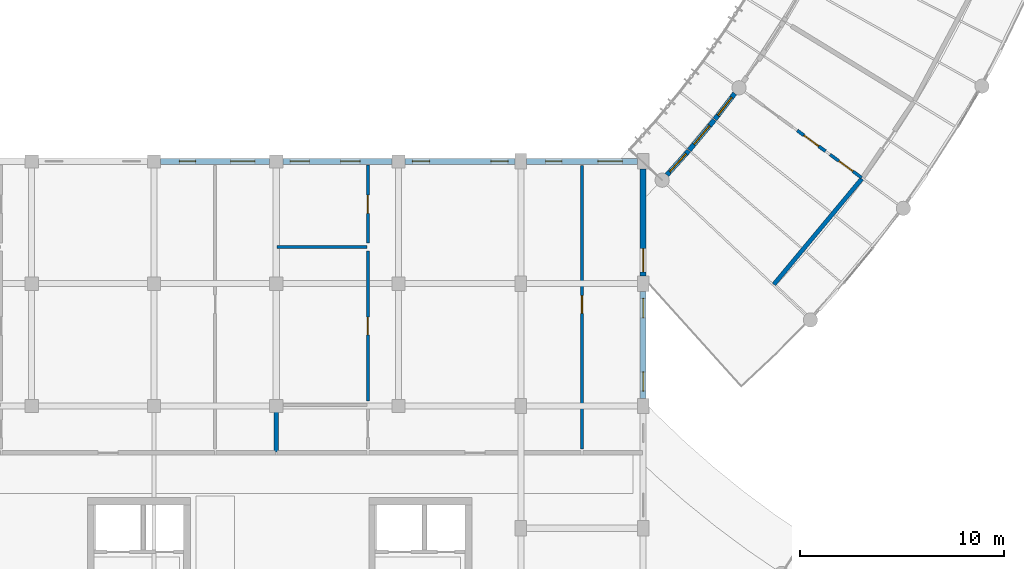
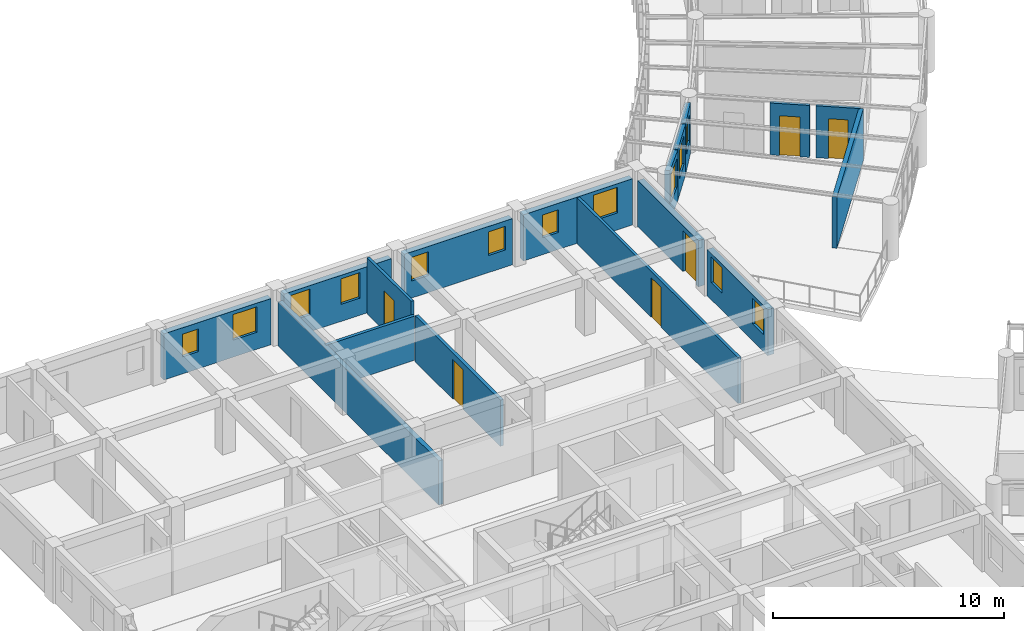
# One storey, part 79 of 123: 17 walls, 13 windows, 6 doors, 19 openings.
"""IFC4 building model written with IfcOpenShell, lengths in metres."""

from ifc_helpers import new_model, si_unit, direction, frame, frame_2d, origin, place, context, subcontext, project, spatial, rectangle, extrude, material, layer, layer_set, type_object, element, fill, save


model = new_model("IFC4")

# Units and contexts
model_context = context("Model", 3, precision=1e-05, world=origin(), true_north=direction((0.0, 1.0)))
body_context = subcontext(model_context, "Body", "Model", "MODEL_VIEW")
ifc_project = project(units=[si_unit("LENGTHUNIT", "METRE"), si_unit("AREAUNIT", "SQUARE_METRE"), si_unit("VOLUMEUNIT", "CUBIC_METRE"), si_unit("PLANEANGLEUNIT", "RADIAN"), si_unit("MASSUNIT", "GRAM", prefix="KILO"), si_unit("POWERUNIT", "WATT"), si_unit("THERMODYNAMICTEMPERATUREUNIT", "KELVIN")], contexts=[model_context])

# Site, building, storey
site_placement = place(None, origin())
site = spatial("IfcSite", under=ifc_project, at=site_placement, CompositionType="ELEMENT")
building_placement = place(site_placement, origin())
building = spatial("IfcBuilding", under=site, at=building_placement, Name="Ruvembo Vaulted Housing Court", CompositionType="ELEMENT")
storey_placement = place(building_placement, frame((0.0, 0.0, 7.699951171875)))
storey = spatial("IfcBuildingStorey", under=building, at=storey_placement, Name="L02", CompositionType="ELEMENT", Elevation=7.699951171875)

# Walls
ifc_material_1 = material(Name="Concrete Blockwork 210", Category="masonry")
ifc_layer_1 = layer(ifc_material_1, 0.2099609375, Name="Concrete Blockwork 210")
ifc_layer_set_1 = layer_set([ifc_layer_1], Name="Concrete Blockwork 210")
wall_type_1 = type_object("IfcWallType", Name="WL-CORR-210", PredefinedType="SOLIDWALL", material=ifc_layer_set_1)
wall_1_placement = place(storey_placement, frame((42.4140625, 35.964599609375, 0.0), z_axis=(0.0, 0.0, 1.0), x_axis=(0.639849364326, 0.768500351966, 0.0)))
element("IfcWall", 1, at=wall_1_placement, inside=storey, type_object=wall_type_1, Name="L02 Suite SC1-L02-U1 Gallery Wall WL-INT-L02-00682", PredefinedType="SOLIDWALL", context=body_context, shape_type="SweptSolid", body=[
    extrude(rectangle(XDim=6.73876953125, YDim=0.2099609375, at=frame_2d((3.369384765625, 0.0))), origin(), (0.0, 0.0, 1.0), 2.72216796875),
])
ifc_material_2 = material(Name="Acoustic Masonry Demising 220", Category="masonry")
ifc_layer_2 = layer(ifc_material_2, 0.219970703125, Name="Acoustic Masonry Demising 220")
ifc_layer_set_2 = layer_set([ifc_layer_2], Name="Acoustic Masonry Demising 220")
wall_type_2 = type_object("IfcWallType", Name="WL-DEM-200", PredefinedType="SOLIDWALL", material=ifc_layer_set_2)
wall_2_placement = place(storey_placement, frame((18.0, 27.739990234375, 0.0), z_axis=(0.0, 0.0, 1.0), x_axis=(0.0, 1.0, 0.0)))
element("IfcWall", 2, at=wall_2_placement, inside=storey, type_object=wall_type_2, Name="L02 Demising A-L02-N1 WL-INT-L02-00513", PredefinedType="SOLIDWALL", context=body_context, shape_type="SweptSolid", body=[
    extrude(rectangle(XDim=13.8701171875, YDim=0.219970703125, at=frame_2d((6.93505859375, 0.0))), origin(), (0.0, 0.0, 1.0), 2.337158203125),
])

# Wall, opening, window
ifc_material_3 = material(Name="Rendered Masonry 235", Category="masonry")
ifc_layer_3 = layer(ifc_material_3, 0.235107421875, Name="Rendered Masonry 235")
ifc_layer_set_3 = layer_set([ifc_layer_3], Name="Rendered Masonry 235")
wall_type_3 = type_object("IfcWallType", Name="WL-EXT-235", PredefinedType="STANDARD", material=ifc_layer_set_3)
wall_3_placement = place(storey_placement, frame((37.165283203125, 41.337646484375, 0.0), z_axis=(0.0, 0.0, 1.0), x_axis=(0.670829255746, 0.741611832184, 0.0)))
wall_3 = element("IfcWall", 3, at=wall_3_placement, inside=storey, type_object=wall_type_3, Name="Scoop SC1 L02 Concave Balcony Wall 0", PredefinedType="STANDARD", context=body_context, shape_type="SweptSolid", body=[
    extrude(rectangle(XDim=1.596923828125, YDim=0.235107421875, at=frame_2d((0.79833984375, 0.0))), origin(), (0.0, 0.0, 1.0), 2.68408203125),
])
opening_1_placement = place(wall_3_placement, frame((0.198486328125, 0.0, 0.85009765625)))
opening_1 = element("IfcOpeningElement", 4, at=opening_1_placement, cuts=wall_3, Name="Opening W14", PredefinedType="OPENING", context=body_context, shape_type="SweptSolid", body=[
    extrude(rectangle(XDim=1.199951171875, YDim=1.5, at=frame_2d((0.60009765625, 0.75))), frame((0.0, 0.12744140625, 0.0), z_axis=(0.0, -1.0, 0.0), x_axis=(1.0, 0.0, 0.0)), (0.0, 0.0, 1.0), 0.255126953125),
])
ifc_material_4 = material(Name="Double Solar-Control Glazing in Aluminium Frame", Category="aluminium")
window_type_1 = type_object("IfcWindowType", Name="WIN-1200x1500", PartitioningType="SINGLE_PANEL", PredefinedType="WINDOW", material=ifc_material_4)
window_1_placement = place(opening_1_placement, origin())
window_1 = element("IfcWindow", 5, at=window_1_placement, inside=storey, type_object=window_type_1, Name="Scoop SC1 L02 Concave Window 0", OverallHeight=1.5, OverallWidth=1.199951171875, PartitioningType="SINGLE_PANEL", PredefinedType="WINDOW", context=body_context, shape_type="SweptSolid", body=[
    extrude(rectangle(XDim=1.199951171875, YDim=1.5, at=frame_2d((0.60009765625, 0.75))), frame((0.0, 0.030029296875, 0.0), z_axis=(0.0, -1.0, 0.0), x_axis=(1.0, 0.0, 0.0)), (0.0, 0.0, 1.0), 0.06005859375),
])
fill(opening_1, window_1)

wall_4_placement = place(storey_placement, frame((38.2626953125, 42.552001953125, 0.0), z_axis=(0.0, 0.0, 1.0), x_axis=(0.639872771242, 0.768480862887, 0.0)))
wall_4 = element("IfcWall", 6, at=wall_4_placement, inside=storey, type_object=wall_type_3, Name="Scoop SC1 L02 Concave Balcony Wall 1", PredefinedType="STANDARD", context=body_context, shape_type="SweptSolid", body=[
    extrude(rectangle(XDim=1.9267578125, YDim=0.235107421875, at=frame_2d((0.96337890625, 0.0))), origin(), (0.0, 0.0, 1.0), 2.68408203125),
])
opening_2_placement = place(wall_4_placement, frame((0.36328125, 0.0, 0.85009765625)))
opening_2 = element("IfcOpeningElement", 7, at=opening_2_placement, cuts=wall_4, Name="Opening W14", PredefinedType="OPENING", context=body_context, shape_type="SweptSolid", body=[
    extrude(rectangle(XDim=1.199951171875, YDim=1.5, at=frame_2d((0.60009765625, 0.75))), frame((0.0, 0.12744140625, 0.0), z_axis=(0.0, -1.0, 0.0), x_axis=(1.0, 0.0, 0.0)), (0.0, 0.0, 1.0), 0.255126953125),
])
window_2_placement = place(opening_2_placement, origin())
window_2 = element("IfcWindow", 8, at=window_2_placement, inside=storey, type_object=window_type_1, Name="Scoop SC1 L02 Concave Window 1", OverallHeight=1.5, OverallWidth=1.199951171875, PartitioningType="SINGLE_PANEL", PredefinedType="WINDOW", context=body_context, shape_type="SweptSolid", body=[
    extrude(rectangle(XDim=1.199951171875, YDim=1.5, at=frame_2d((0.60009765625, 0.75))), frame((0.0, 0.030029296875, 0.0), z_axis=(0.0, -1.0, 0.0), x_axis=(1.0, 0.0, 0.0)), (0.0, 0.0, 1.0), 0.06005859375),
])
fill(opening_2, window_2)

wall_5_placement = place(storey_placement, frame((39.5205078125, 44.06396484375, 0.0), z_axis=(0.0, 0.0, 1.0), x_axis=(0.607921045706, 0.793997482482, 0.0)))
wall_5 = element("IfcWall", 9, at=wall_5_placement, inside=storey, type_object=wall_type_3, Name="Scoop SC1 L02 Concave Balcony Wall 2", PredefinedType="STANDARD", context=body_context, shape_type="SweptSolid", body=[
    extrude(rectangle(XDim=1.5966796875, YDim=0.235107421875, at=frame_2d((0.79833984375, 0.0))), origin(), (0.0, 0.0, 1.0), 2.68408203125),
])
opening_3_placement = place(wall_5_placement, frame((0.248291015625, 0.0, 0.85009765625)))
opening_3 = element("IfcOpeningElement", 10, at=opening_3_placement, cuts=wall_5, Name="Opening W10", PredefinedType="OPENING", context=body_context, shape_type="SweptSolid", body=[
    extrude(rectangle(XDim=1.10009765625, YDim=1.449951171875, at=frame_2d((0.550048828125, 0.72509765625))), frame((0.0, 0.12744140625, 0.0), z_axis=(0.0, -1.0, 0.0), x_axis=(1.0, 0.0, 0.0)), (0.0, 0.0, 1.0), 0.255126953125),
])
window_type_2 = type_object("IfcWindowType", Name="WIN-1100x1450", PartitioningType="SINGLE_PANEL", PredefinedType="WINDOW", material=ifc_material_4)
window_3_placement = place(opening_3_placement, origin())
window_3 = element("IfcWindow", 11, at=window_3_placement, inside=storey, type_object=window_type_2, Name="Scoop SC1 L02 Concave Window 2", OverallHeight=1.449951171875, OverallWidth=1.10009765625, PartitioningType="SINGLE_PANEL", PredefinedType="WINDOW", context=body_context, shape_type="SweptSolid", body=[
    extrude(rectangle(XDim=1.10009765625, YDim=1.449951171875, at=frame_2d((0.550048828125, 0.72509765625))), frame((0.0, 0.030029296875, 0.0), z_axis=(0.0, -1.0, 0.0), x_axis=(1.0, 0.0, 0.0)), (0.0, 0.0, 1.0), 0.06005859375),
])
fill(opening_3, window_3)

# Wall, openings, windows
ifc_material_5 = material(Name="Rendered Masonry 300", Category="masonry")
ifc_layer_4 = layer(ifc_material_5, 0.300048828125, Name="Rendered Masonry 300")
ifc_layer_set_4 = layer_set([ifc_layer_4], Name="Rendered Masonry 300")
wall_type_4 = type_object("IfcWallType", Name="WL-EXT-300", PredefinedType="STANDARD", material=ifc_layer_set_4)
wall_6_placement = place(storey_placement, frame((36.0, 30.375, 0.0), z_axis=(0.0, 0.0, 1.0), x_axis=(0.0, 1.0, 0.0)))
wall_6 = element("IfcWall", 12, at=wall_6_placement, inside=storey, type_object=wall_type_4, Name="Block A L02 Exterior Wall EAST #5", PredefinedType="STANDARD", context=body_context, shape_type="SweptSolid", body=[
    extrude(rectangle(XDim=5.25, YDim=0.300048828125, at=frame_2d((2.625, 0.0))), origin(), (0.0, 0.0, 1.0), 2.43701171875),
])
opening_4_placement = place(wall_6_placement, frame((0.35009765625, 0.0, 0.89990234375)))
opening_4 = element("IfcOpeningElement", 13, at=opening_4_placement, cuts=wall_6, Name="Opening W07", PredefinedType="OPENING", context=body_context, shape_type="SweptSolid", body=[
    extrude(rectangle(XDim=0.949951171875, YDim=1.35009765625, at=frame_2d((0.47509765625, 0.675048828125))), frame((0.0, 0.159912109375, 0.0), z_axis=(0.0, -1.0, 0.0), x_axis=(1.0, 0.0, 0.0)), (0.0, 0.0, 1.0), 0.320068359375),
])
opening_5_placement = place(wall_6_placement, frame((3.949951171875, 0.0, 0.89990234375)))
opening_5 = element("IfcOpeningElement", 14, at=opening_5_placement, cuts=wall_6, Name="Opening W07", PredefinedType="OPENING", context=body_context, shape_type="SweptSolid", body=[
    extrude(rectangle(XDim=0.949951171875, YDim=1.35009765625, at=frame_2d((0.47509765625, 0.675048828125))), frame((0.0, 0.159912109375, 0.0), z_axis=(0.0, -1.0, 0.0), x_axis=(1.0, 0.0, 0.0)), (0.0, 0.0, 1.0), 0.320068359375),
])
window_type_3 = type_object("IfcWindowType", Name="WIN-0950x1350", PartitioningType="SINGLE_PANEL", PredefinedType="WINDOW", material=ifc_material_4)
window_4_placement = place(opening_4_placement, origin())
window_4 = element("IfcWindow", 15, at=window_4_placement, inside=storey, type_object=window_type_3, Name="Block A L02 Window #99", OverallHeight=1.35009765625, OverallWidth=0.949951171875, PartitioningType="SINGLE_PANEL", PredefinedType="WINDOW", context=body_context, shape_type="SweptSolid", body=[
    extrude(rectangle(XDim=0.949951171875, YDim=1.35009765625, at=frame_2d((0.47509765625, 0.675048828125))), frame((0.0, 0.030029296875, 0.0), z_axis=(0.0, -1.0, 0.0), x_axis=(1.0, 0.0, 0.0)), (0.0, 0.0, 1.0), 0.06005859375),
])
fill(opening_4, window_4)
window_5_placement = place(opening_5_placement, origin())
window_5 = element("IfcWindow", 16, at=window_5_placement, inside=storey, type_object=window_type_3, Name="Block A L02 Window #100", OverallHeight=1.35009765625, OverallWidth=0.949951171875, PartitioningType="SINGLE_PANEL", PredefinedType="WINDOW", context=body_context, shape_type="SweptSolid", body=[
    extrude(rectangle(XDim=0.949951171875, YDim=1.35009765625, at=frame_2d((0.47509765625, 0.675048828125))), frame((0.0, 0.030029296875, 0.0), z_axis=(0.0, -1.0, 0.0), x_axis=(1.0, 0.0, 0.0)), (0.0, 0.0, 1.0), 0.06005859375),
])
fill(opening_5, window_5)

# Wall, opening, door
wall_7_placement = place(storey_placement, frame((36.0, 36.375, 0.0), z_axis=(0.0, 0.0, 1.0), x_axis=(0.0, 1.0, 0.0)))
wall_7 = element("IfcWall", 17, at=wall_7_placement, inside=storey, type_object=wall_type_4, Name="Block A L02 Exterior Wall EAST #6", PredefinedType="STANDARD", context=body_context, shape_type="SweptSolid", body=[
    extrude(rectangle(XDim=5.25, YDim=0.300048828125, at=frame_2d((2.625, 0.0))), origin(), (0.0, 0.0, 1.0), 2.43701171875),
])
opening_6_placement = place(wall_7_placement, frame((0.199951171875, 0.0, 0.0)))
opening_6 = element("IfcOpeningElement", 18, at=opening_6_placement, cuts=wall_7, Name="Opening GD1", PredefinedType="OPENING", context=body_context, shape_type="SweptSolid", body=[
    extrude(rectangle(XDim=1.14990234375, YDim=2.14990234375, at=frame_2d((0.574951171875, 1.074951171875))), frame((0.0, 0.159912109375, 0.0), z_axis=(0.0, -1.0, 0.0), x_axis=(1.0, 0.0, 0.0)), (0.0, 0.0, 1.0), 0.320068359375),
])
ifc_material_6 = material(Name="Thermally Broken Glazed Aluminium", Category="aluminium")
door_type_1 = type_object("IfcDoorType", Name="DR-GAL-1150x2150", OperationType="NOTDEFINED", PredefinedType="DOOR", material=ifc_material_6)
door_1_placement = place(opening_6_placement, frame((1.14990234375, 0.0, 0.0), z_axis=(0.0, 0.0, 1.0), x_axis=(-1.0, 0.0, 0.0)))
door_1 = element("IfcDoor", 19, at=door_1_placement, inside=storey, type_object=door_type_1, Name="Block A L02 Terrace or Gallery Door DR-TER-A-L02-010", OperationType="SINGLE_SWING_LEFT", OverallHeight=2.14990234375, OverallWidth=1.14990234375, PredefinedType="DOOR", context=body_context, shape_type="SweptSolid", body=[
    extrude(rectangle(XDim=1.14990234375, YDim=2.14990234375, at=frame_2d((0.574951171875, 1.074951171875))), frame((0.0, 0.02490234375, 0.0), z_axis=(0.0, -1.0, 0.0), x_axis=(1.0, 0.0, 0.0)), (0.0, 0.0, 1.0), 0.050048828125),
])
fill(opening_6, door_1)

# Wall, openings, windows
wall_8_placement = place(storey_placement, frame((35.72509765625, 42.0, 0.0), z_axis=(0.0, 0.0, 1.0), x_axis=(-1.0, 0.0, 0.0)))
wall_8 = element("IfcWall", 20, at=wall_8_placement, inside=storey, type_object=wall_type_4, Name="Block A L02 Exterior Wall COURTYARD #1", PredefinedType="STANDARD", context=body_context, shape_type="SweptSolid", body=[
    extrude(rectangle(XDim=5.4501953125, YDim=0.300048828125, at=frame_2d((2.72509765625, 0.0))), origin(), (0.0, 0.0, 1.0), 2.43701171875),
])
opening_7_placement = place(wall_8_placement, frame((0.742431640625, 0.0, 0.89990234375)))
opening_7 = element("IfcOpeningElement", 21, at=opening_7_placement, cuts=wall_8, Name="Opening W12", PredefinedType="OPENING", context=body_context, shape_type="SweptSolid", body=[
    extrude(rectangle(XDim=1.199951171875, YDim=1.35009765625, at=frame_2d((0.60009765625, 0.675048828125))), frame((0.0, 0.159912109375, 0.0), z_axis=(0.0, -1.0, 0.0), x_axis=(1.0, 0.0, 0.0)), (0.0, 0.0, 1.0), 0.320068359375),
])
opening_8_placement = place(wall_8_placement, frame((3.70751953125, 0.0, 0.89990234375)))
opening_8 = element("IfcOpeningElement", 22, at=opening_8_placement, cuts=wall_8, Name="Opening W02", PredefinedType="OPENING", context=body_context, shape_type="SweptSolid", body=[
    extrude(rectangle(XDim=0.800048828125, YDim=1.199951171875, at=frame_2d((0.39990234375, 0.60009765625))), frame((0.0, 0.159912109375, 0.0), z_axis=(0.0, -1.0, 0.0), x_axis=(1.0, 0.0, 0.0)), (0.0, 0.0, 1.0), 0.320068359375),
])
window_type_4 = type_object("IfcWindowType", Name="WIN-0800x1200", PartitioningType="SINGLE_PANEL", PredefinedType="WINDOW", material=ifc_material_4)
window_6_placement = place(opening_8_placement, origin())
window_6 = element("IfcWindow", 23, at=window_6_placement, inside=storey, type_object=window_type_4, Name="Block A L02 Window #102", OverallHeight=1.199951171875, OverallWidth=0.800048828125, PartitioningType="SINGLE_PANEL", PredefinedType="WINDOW", context=body_context, shape_type="SweptSolid", body=[
    extrude(rectangle(XDim=0.800048828125, YDim=1.199951171875, at=frame_2d((0.39990234375, 0.60009765625))), frame((0.0, 0.030029296875, 0.0), z_axis=(0.0, -1.0, 0.0), x_axis=(1.0, 0.0, 0.0)), (0.0, 0.0, 1.0), 0.06005859375),
])
fill(opening_8, window_6)
window_type_5 = type_object("IfcWindowType", Name="WIN-1200x1350", PartitioningType="SINGLE_PANEL", PredefinedType="WINDOW", material=ifc_material_4)
window_7_placement = place(opening_7_placement, origin())
window_7 = element("IfcWindow", 24, at=window_7_placement, inside=storey, type_object=window_type_5, Name="Block A L02 Window #101", OverallHeight=1.35009765625, OverallWidth=1.199951171875, PartitioningType="SINGLE_PANEL", PredefinedType="WINDOW", context=body_context, shape_type="SweptSolid", body=[
    extrude(rectangle(XDim=1.199951171875, YDim=1.35009765625, at=frame_2d((0.60009765625, 0.675048828125))), frame((0.0, 0.030029296875, 0.0), z_axis=(0.0, -1.0, 0.0), x_axis=(1.0, 0.0, 0.0)), (0.0, 0.0, 1.0), 0.06005859375),
])
fill(opening_7, window_7)

wall_9_placement = place(storey_placement, frame((29.72509765625, 42.0, 0.0), z_axis=(0.0, 0.0, 1.0), x_axis=(-1.0, 0.0, 0.0)))
wall_9 = element("IfcWall", 25, at=wall_9_placement, inside=storey, type_object=wall_type_4, Name="Block A L02 Exterior Wall COURTYARD #2", PredefinedType="STANDARD", context=body_context, shape_type="SweptSolid", body=[
    extrude(rectangle(XDim=5.400146484375, YDim=0.300048828125, at=frame_2d((2.7001953125, 0.0))), origin(), (0.0, 0.0, 1.0), 2.43701171875),
])
opening_9_placement = place(wall_9_placement, frame((0.35009765625, 0.0, 0.89990234375)))
opening_9 = element("IfcOpeningElement", 26, at=opening_9_placement, cuts=wall_9, Name="Opening W03", PredefinedType="OPENING", context=body_context, shape_type="SweptSolid", body=[
    extrude(rectangle(XDim=0.85009765625, YDim=1.25, at=frame_2d((0.425048828125, 0.625))), frame((0.0, 0.159912109375, 0.0), z_axis=(0.0, -1.0, 0.0), x_axis=(1.0, 0.0, 0.0)), (0.0, 0.0, 1.0), 0.320068359375),
])
opening_10_placement = place(wall_9_placement, frame((4.199951171875, 0.0, 0.89990234375)))
opening_10 = element("IfcOpeningElement", 27, at=opening_10_placement, cuts=wall_9, Name="Opening W03", PredefinedType="OPENING", context=body_context, shape_type="SweptSolid", body=[
    extrude(rectangle(XDim=0.85009765625, YDim=1.25, at=frame_2d((0.425048828125, 0.625))), frame((0.0, 0.159912109375, 0.0), z_axis=(0.0, -1.0, 0.0), x_axis=(1.0, 0.0, 0.0)), (0.0, 0.0, 1.0), 0.320068359375),
])
window_type_6 = type_object("IfcWindowType", Name="WIN-0850x1250", PartitioningType="SINGLE_PANEL", PredefinedType="WINDOW", material=ifc_material_4)
window_8_placement = place(opening_9_placement, origin())
window_8 = element("IfcWindow", 28, at=window_8_placement, inside=storey, type_object=window_type_6, Name="Block A L02 Window #103", OverallHeight=1.25, OverallWidth=0.85009765625, PartitioningType="SINGLE_PANEL", PredefinedType="WINDOW", context=body_context, shape_type="SweptSolid", body=[
    extrude(rectangle(XDim=0.85009765625, YDim=1.25, at=frame_2d((0.425048828125, 0.625))), frame((0.0, 0.030029296875, 0.0), z_axis=(0.0, -1.0, 0.0), x_axis=(1.0, 0.0, 0.0)), (0.0, 0.0, 1.0), 0.06005859375),
])
fill(opening_9, window_8)
window_9_placement = place(opening_10_placement, origin())
window_9 = element("IfcWindow", 29, at=window_9_placement, inside=storey, type_object=window_type_6, Name="Block A L02 Window #104", OverallHeight=1.25, OverallWidth=0.85009765625, PartitioningType="SINGLE_PANEL", PredefinedType="WINDOW", context=body_context, shape_type="SweptSolid", body=[
    extrude(rectangle(XDim=0.85009765625, YDim=1.25, at=frame_2d((0.425048828125, 0.625))), frame((0.0, 0.030029296875, 0.0), z_axis=(0.0, -1.0, 0.0), x_axis=(1.0, 0.0, 0.0)), (0.0, 0.0, 1.0), 0.06005859375),
])
fill(opening_10, window_9)

wall_10_placement = place(storey_placement, frame((23.675048828125, 42.0, 0.0), z_axis=(0.0, 0.0, 1.0), x_axis=(-1.0, 0.0, 0.0)))
wall_10 = element("IfcWall", 30, at=wall_10_placement, inside=storey, type_object=wall_type_4, Name="Block A L02 Exterior Wall COURTYARD #3", PredefinedType="STANDARD", context=body_context, shape_type="SweptSolid", body=[
    extrude(rectangle(XDim=5.35009765625, YDim=0.300048828125, at=frame_2d((2.675048828125, 0.0))), origin(), (0.0, 0.0, 1.0), 2.43701171875),
])
opening_11_placement = place(wall_10_placement, frame((1.56494140625, 0.0, 0.89990234375)))
opening_11 = element("IfcOpeningElement", 31, at=opening_11_placement, cuts=wall_10, Name="Opening W07", PredefinedType="OPENING", context=body_context, shape_type="SweptSolid", body=[
    extrude(rectangle(XDim=0.949951171875, YDim=1.35009765625, at=frame_2d((0.47509765625, 0.675048828125))), frame((0.0, 0.159912109375, 0.0), z_axis=(0.0, -1.0, 0.0), x_axis=(1.0, 0.0, 0.0)), (0.0, 0.0, 1.0), 0.320068359375),
])
opening_12_placement = place(wall_10_placement, frame((4.050048828125, 0.0, 0.89990234375)))
opening_12 = element("IfcOpeningElement", 32, at=opening_12_placement, cuts=wall_10, Name="Opening W07", PredefinedType="OPENING", context=body_context, shape_type="SweptSolid", body=[
    extrude(rectangle(XDim=0.949951171875, YDim=1.35009765625, at=frame_2d((0.47509765625, 0.675048828125))), frame((0.0, 0.159912109375, 0.0), z_axis=(0.0, -1.0, 0.0), x_axis=(1.0, 0.0, 0.0)), (0.0, 0.0, 1.0), 0.320068359375),
])
window_10_placement = place(opening_11_placement, origin())
window_10 = element("IfcWindow", 33, at=window_10_placement, inside=storey, type_object=window_type_3, Name="Block A L02 Window #105", OverallHeight=1.35009765625, OverallWidth=0.949951171875, PartitioningType="SINGLE_PANEL", PredefinedType="WINDOW", context=body_context, shape_type="SweptSolid", body=[
    extrude(rectangle(XDim=0.949951171875, YDim=1.35009765625, at=frame_2d((0.47509765625, 0.675048828125))), frame((0.0, 0.030029296875, 0.0), z_axis=(0.0, -1.0, 0.0), x_axis=(1.0, 0.0, 0.0)), (0.0, 0.0, 1.0), 0.06005859375),
])
fill(opening_11, window_10)
window_11_placement = place(opening_12_placement, origin())
window_11 = element("IfcWindow", 34, at=window_11_placement, inside=storey, type_object=window_type_3, Name="Block A L02 Window #106", OverallHeight=1.35009765625, OverallWidth=0.949951171875, PartitioningType="SINGLE_PANEL", PredefinedType="WINDOW", context=body_context, shape_type="SweptSolid", body=[
    extrude(rectangle(XDim=0.949951171875, YDim=1.35009765625, at=frame_2d((0.47509765625, 0.675048828125))), frame((0.0, 0.030029296875, 0.0), z_axis=(0.0, -1.0, 0.0), x_axis=(1.0, 0.0, 0.0)), (0.0, 0.0, 1.0), 0.06005859375),
])
fill(opening_12, window_11)

wall_11_placement = place(storey_placement, frame((17.675048828125, 42.0, 0.0), z_axis=(0.0, 0.0, 1.0), x_axis=(-1.0, 0.0, 0.0)))
wall_11 = element("IfcWall", 35, at=wall_11_placement, inside=storey, type_object=wall_type_4, Name="Block A L02 Exterior Wall COURTYARD #4", PredefinedType="STANDARD", context=body_context, shape_type="SweptSolid", body=[
    extrude(rectangle(XDim=5.35009765625, YDim=0.300048828125, at=frame_2d((2.675048828125, 0.0))), origin(), (0.0, 0.0, 1.0), 2.43701171875),
])
opening_13_placement = place(wall_11_placement, frame((0.717529296875, 0.0, 0.89990234375)))
opening_13 = element("IfcOpeningElement", 36, at=opening_13_placement, cuts=wall_11, Name="Opening W12", PredefinedType="OPENING", context=body_context, shape_type="SweptSolid", body=[
    extrude(rectangle(XDim=1.199951171875, YDim=1.35009765625, at=frame_2d((0.60009765625, 0.675048828125))), frame((0.0, 0.159912109375, 0.0), z_axis=(0.0, -1.0, 0.0), x_axis=(1.0, 0.0, 0.0)), (0.0, 0.0, 1.0), 0.320068359375),
])
opening_14_placement = place(wall_11_placement, frame((3.632568359375, 0.0, 0.89990234375)))
opening_14 = element("IfcOpeningElement", 37, at=opening_14_placement, cuts=wall_11, Name="Opening W02", PredefinedType="OPENING", context=body_context, shape_type="SweptSolid", body=[
    extrude(rectangle(XDim=0.800048828125, YDim=1.199951171875, at=frame_2d((0.39990234375, 0.60009765625))), frame((0.0, 0.159912109375, 0.0), z_axis=(0.0, -1.0, 0.0), x_axis=(1.0, 0.0, 0.0)), (0.0, 0.0, 1.0), 0.320068359375),
])
window_12_placement = place(opening_14_placement, origin())
window_12 = element("IfcWindow", 38, at=window_12_placement, inside=storey, type_object=window_type_4, Name="Block A L02 Window #108", OverallHeight=1.199951171875, OverallWidth=0.800048828125, PartitioningType="SINGLE_PANEL", PredefinedType="WINDOW", context=body_context, shape_type="SweptSolid", body=[
    extrude(rectangle(XDim=0.800048828125, YDim=1.199951171875, at=frame_2d((0.39990234375, 0.60009765625))), frame((0.0, 0.030029296875, 0.0), z_axis=(0.0, -1.0, 0.0), x_axis=(1.0, 0.0, 0.0)), (0.0, 0.0, 1.0), 0.06005859375),
])
fill(opening_14, window_12)
window_13_placement = place(opening_13_placement, origin())
window_13 = element("IfcWindow", 39, at=window_13_placement, inside=storey, type_object=window_type_5, Name="Block A L02 Window #107", OverallHeight=1.35009765625, OverallWidth=1.199951171875, PartitioningType="SINGLE_PANEL", PredefinedType="WINDOW", context=body_context, shape_type="SweptSolid", body=[
    extrude(rectangle(XDim=1.199951171875, YDim=1.35009765625, at=frame_2d((0.60009765625, 0.675048828125))), frame((0.0, 0.030029296875, 0.0), z_axis=(0.0, -1.0, 0.0), x_axis=(1.0, 0.0, 0.0)), (0.0, 0.0, 1.0), 0.06005859375),
])
fill(opening_13, window_13)

# Wall, opening, door
ifc_material_7 = material(Name="Acoustic Stud Partition 135", Category="gypsum")
ifc_layer_5 = layer(ifc_material_7, 0.135009765625, Name="Acoustic Stud Partition 135")
ifc_layer_set_5 = layer_set([ifc_layer_5], Name="Acoustic Stud Partition 135")
wall_type_5 = type_object("IfcWallType", Name="WL-PART-135", PredefinedType="PARTITIONING", material=ifc_layer_set_5)
wall_12_placement = place(storey_placement, frame((22.5, 37.989990234375, 0.0), z_axis=(0.0, 0.0, 1.0), x_axis=(0.0, 1.0, 0.0)))
wall_12 = element("IfcWall", 40, at=wall_12_placement, inside=storey, type_object=wall_type_5, Name="L02 Flat A-L02-N2 Bedroom 1 WL-INT-L02-00525", PredefinedType="PARTITIONING", context=body_context, shape_type="SweptSolid", body=[
    extrude(rectangle(XDim=3.820068359375, YDim=0.135009765625, at=frame_2d((1.91015625, 0.0))), origin(), (0.0, 0.0, 1.0), 2.955078125),
])
opening_15_placement = place(wall_12_placement, frame((1.4599609375, 0.0, 0.0)))
opening_15 = element("IfcOpeningElement", 41, at=opening_15_placement, cuts=wall_12, Name="Opening ID1", PredefinedType="OPENING", context=body_context, shape_type="SweptSolid", body=[
    extrude(rectangle(XDim=0.89990234375, YDim=2.10009765625, at=frame_2d((0.449951171875, 1.050048828125))), frame((0.0, 0.077392578125, 0.0), z_axis=(0.0, -1.0, 0.0), x_axis=(1.0, 0.0, 0.0)), (0.0, 0.0, 1.0), 0.155029296875),
])
ifc_material_8 = material(Name="FSC Hardwood and Engineered Timber", Category="wood")
door_type_2 = type_object("IfcDoorType", Name="DR-ROOM-0900x2100", OperationType="NOTDEFINED", PredefinedType="DOOR", material=ifc_material_8)
door_2_placement = place(opening_15_placement, origin())
door_2 = element("IfcDoor", 42, at=door_2_placement, inside=storey, type_object=door_type_2, Name="L02 Flat A-L02-N2 Bedroom 1 Door DR-INT-L02-00286", OperationType="SINGLE_SWING_RIGHT", OverallHeight=2.10009765625, OverallWidth=0.89990234375, PredefinedType="DOOR", context=body_context, shape_type="SweptSolid", body=[
    extrude(rectangle(XDim=0.89990234375, YDim=2.10009765625, at=frame_2d((0.449951171875, 1.050048828125))), frame((0.0, 0.02490234375, 0.0), z_axis=(0.0, -1.0, 0.0), x_axis=(1.0, 0.0, 0.0)), (0.0, 0.0, 1.0), 0.050048828125),
])
fill(opening_15, door_2)

wall_13_placement = place(storey_placement, frame((33.0, 27.889892578125, 0.0), z_axis=(0.0, 0.0, 1.0), x_axis=(0.0, 1.0, 0.0)))
wall_13 = element("IfcWall", 43, at=wall_13_placement, inside=storey, type_object=wall_type_5, Name="L02 Flat A-L02-N2 Bedroom 2 WL-INT-L02-00531", PredefinedType="PARTITIONING", context=body_context, shape_type="SweptSolid", body=[
    extrude(rectangle(XDim=13.920166015625, YDim=0.135009765625, at=frame_2d((6.9599609375, 0.0))), origin(), (0.0, 0.0, 1.0), 2.43701171875),
])
opening_16_placement = place(wall_13_placement, frame((6.64990234375, 0.0, 0.0)))
opening_16 = element("IfcOpeningElement", 44, at=opening_16_placement, cuts=wall_13, Name="Opening ID3", PredefinedType="OPENING", context=body_context, shape_type="SweptSolid", body=[
    extrude(rectangle(XDim=0.8798828125, YDim=2.10009765625, at=frame_2d((0.43994140625, 1.050048828125))), frame((0.0, 0.077392578125, 0.0), z_axis=(0.0, -1.0, 0.0), x_axis=(1.0, 0.0, 0.0)), (0.0, 0.0, 1.0), 0.155029296875),
])
door_type_3 = type_object("IfcDoorType", Name="DR-ROOM-0880x2100", OperationType="NOTDEFINED", PredefinedType="DOOR", material=ifc_material_8)
door_3_placement = place(opening_16_placement, origin())
door_3 = element("IfcDoor", 45, at=door_3_placement, inside=storey, type_object=door_type_3, Name="L02 Flat A-L02-N2 Bedroom 2 Door DR-INT-L02-00289", OperationType="SINGLE_SWING_LEFT", OverallHeight=2.10009765625, OverallWidth=0.8798828125, PredefinedType="DOOR", context=body_context, shape_type="SweptSolid", body=[
    extrude(rectangle(XDim=0.8798828125, YDim=2.10009765625, at=frame_2d((0.43994140625, 1.050048828125))), frame((0.0, 0.02490234375, 0.0), z_axis=(0.0, -1.0, 0.0), x_axis=(1.0, 0.0, 0.0)), (0.0, 0.0, 1.0), 0.050048828125),
])
fill(opening_16, door_3)

# Wall
ifc_material_9 = material(Name="Moisture-Resistant Wet Partition 150", Category="gypsum")
ifc_layer_6 = layer(ifc_material_9, 0.14990234375, Name="Moisture-Resistant Wet Partition 150")
ifc_layer_set_6 = layer_set([ifc_layer_6], Name="Moisture-Resistant Wet Partition 150")
wall_type_6 = type_object("IfcWallType", Name="WL-PART-150", PredefinedType="PARTITIONING", material=ifc_layer_set_6)
wall_14_placement = place(storey_placement, frame((18.0400390625, 37.800048828125, 0.0), z_axis=(0.0, 0.0, 1.0), x_axis=(1.0, 0.0, 0.0)))
element("IfcWall", 46, at=wall_14_placement, inside=storey, type_object=wall_type_6, Name="L02 Flat A-L02-N2 Wet Wall 1 WL-INT-L02-00528", PredefinedType="PARTITIONING", context=body_context, shape_type="SweptSolid", body=[
    extrude(rectangle(XDim=4.419921875, YDim=0.14990234375, at=frame_2d((2.2099609375, 0.0))), origin(), (0.0, 0.0, 1.0), 2.337158203125),
])

# Wall, opening, door
wall_15_placement = place(storey_placement, frame((45.171142578125, 42.3330078125, 0.0), z_axis=(0.0, 0.0, 1.0), x_axis=(0.806348393053, -0.591440841522, 0.0)))
wall_15 = element("IfcWall", 47, at=wall_15_placement, inside=storey, type_object=wall_type_6, Name="L02 Suite SC1-L02-U1 Bathroom WL-INT-L02-00686", PredefinedType="PARTITIONING", context=body_context, shape_type="SweptSolid", body=[
    extrude(rectangle(XDim=1.919921875, YDim=0.14990234375, at=frame_2d((0.9599609375, 0.0))), origin(), (0.0, 0.0, 1.0), 2.741943359375),
])
opening_17_placement = place(wall_15_placement, frame((0.534912109375, 0.0, 0.0)))
opening_17 = element("IfcOpeningElement", 48, at=opening_17_placement, cuts=wall_15, Name="Opening ID2", PredefinedType="OPENING", context=body_context, shape_type="SweptSolid", body=[
    extrude(rectangle(XDim=0.85009765625, YDim=2.10009765625, at=frame_2d((0.425048828125, 1.050048828125))), frame((0.0, 0.0849609375, 0.0), z_axis=(0.0, -1.0, 0.0), x_axis=(1.0, 0.0, 0.0)), (0.0, 0.0, 1.0), 0.169921875),
])
door_type_4 = type_object("IfcDoorType", Name="DR-WET-0850x2100", OperationType="NOTDEFINED", PredefinedType="DOOR", material=ifc_material_8)
door_4_placement = place(opening_17_placement, origin())
door_4 = element("IfcDoor", 49, at=door_4_placement, inside=storey, type_object=door_type_4, Name="L02 Suite SC1-L02-U1 Bathroom Door DR-INT-L02-00371", OperationType="SINGLE_SWING_LEFT", OverallHeight=2.10009765625, OverallWidth=0.85009765625, PredefinedType="DOOR", context=body_context, shape_type="SweptSolid", body=[
    extrude(rectangle(XDim=0.85009765625, YDim=2.10009765625, at=frame_2d((0.425048828125, 1.050048828125))), frame((0.0, 0.02490234375, 0.0), z_axis=(0.0, -1.0, 0.0), x_axis=(1.0, 0.0, 0.0)), (0.0, 0.0, 1.0), 0.050048828125),
])
fill(opening_17, door_4)

ifc_material_10 = material(Name="Acoustic Service Chase Wall 160", Category="gypsum")
ifc_layer_7 = layer(ifc_material_10, 0.159912109375, Name="Acoustic Service Chase Wall 160")
ifc_layer_set_7 = layer_set([ifc_layer_7], Name="Acoustic Service Chase Wall 160")
wall_type_7 = type_object("IfcWallType", Name="WL-PLUMB-160", PredefinedType="PLUMBINGWALL", material=ifc_layer_set_7)
wall_16_placement = place(storey_placement, frame((22.5, 30.239990234375, 0.0), z_axis=(0.0, 0.0, 1.0), x_axis=(0.0, 1.0, 0.0)))
wall_16 = element("IfcWall", 50, at=wall_16_placement, inside=storey, type_object=wall_type_7, Name="L02 Flat A-L02-N2 Kitchen WL-INT-L02-00526", PredefinedType="PLUMBINGWALL", context=body_context, shape_type="SweptSolid", body=[
    extrude(rectangle(XDim=7.3701171875, YDim=0.159912109375, at=frame_2d((3.68505859375, 0.0))), origin(), (0.0, 0.0, 1.0), 2.43701171875),
])
opening_18_placement = place(wall_16_placement, frame((3.2451171875, 0.0, 0.0)))
opening_18 = element("IfcOpeningElement", 51, at=opening_18_placement, cuts=wall_16, Name="Opening ID3", PredefinedType="OPENING", context=body_context, shape_type="SweptSolid", body=[
    extrude(rectangle(XDim=0.8798828125, YDim=2.10009765625, at=frame_2d((0.43994140625, 1.050048828125))), frame((0.0, 0.08984375, 0.0), z_axis=(0.0, -1.0, 0.0), x_axis=(1.0, 0.0, 0.0)), (0.0, 0.0, 1.0), 0.179931640625),
])
door_5_placement = place(opening_18_placement, origin())
door_5 = element("IfcDoor", 52, at=door_5_placement, inside=storey, type_object=door_type_3, Name="L02 Flat A-L02-N2 Kitchen Door DR-INT-L02-00287", OperationType="SINGLE_SWING_LEFT", OverallHeight=2.10009765625, OverallWidth=0.8798828125, PredefinedType="DOOR", context=body_context, shape_type="SweptSolid", body=[
    extrude(rectangle(XDim=0.8798828125, YDim=2.10009765625, at=frame_2d((0.43994140625, 1.050048828125))), frame((0.0, 0.02490234375, 0.0), z_axis=(0.0, -1.0, 0.0), x_axis=(1.0, 0.0, 0.0)), (0.0, 0.0, 1.0), 0.050048828125),
])
fill(opening_18, door_5)

wall_17_placement = place(storey_placement, frame((43.55859375, 43.51611328125, 0.0), z_axis=(0.0, 0.0, 1.0), x_axis=(0.806292157387, -0.591517503491, 0.0)))
wall_17 = element("IfcWall", 53, at=wall_17_placement, inside=storey, type_object=wall_type_7, Name="L02 Suite SC1-L02-U1 Kitchen WL-INT-L02-00685", PredefinedType="PLUMBINGWALL", context=body_context, shape_type="SweptSolid", body=[
    extrude(rectangle(XDim=1.719970703125, YDim=0.159912109375, at=frame_2d((0.85986328125, 0.0))), origin(), (0.0, 0.0, 1.0), 2.741943359375),
])
opening_19_placement = place(wall_17_placement, frame((0.409912109375, 0.0, 0.0)))
opening_19 = element("IfcOpeningElement", 54, at=opening_19_placement, cuts=wall_17, Name="Opening ID1", PredefinedType="OPENING", context=body_context, shape_type="SweptSolid", body=[
    extrude(rectangle(XDim=0.89990234375, YDim=2.10009765625, at=frame_2d((0.449951171875, 1.050048828125))), frame((0.0, 0.08984375, 0.0), z_axis=(0.0, -1.0, 0.0), x_axis=(1.0, 0.0, 0.0)), (0.0, 0.0, 1.0), 0.179931640625),
])
door_6_placement = place(opening_19_placement, origin())
door_6 = element("IfcDoor", 55, at=door_6_placement, inside=storey, type_object=door_type_2, Name="L02 Suite SC1-L02-U1 Kitchen Door DR-INT-L02-00370", OperationType="SINGLE_SWING_RIGHT", OverallHeight=2.10009765625, OverallWidth=0.89990234375, PredefinedType="DOOR", context=body_context, shape_type="SweptSolid", body=[
    extrude(rectangle(XDim=0.89990234375, YDim=2.10009765625, at=frame_2d((0.449951171875, 1.050048828125))), frame((0.0, 0.02490234375, 0.0), z_axis=(0.0, -1.0, 0.0), x_axis=(1.0, 0.0, 0.0)), (0.0, 0.0, 1.0), 0.050048828125),
])
fill(opening_19, door_6)

save(model, "model.ifc")
